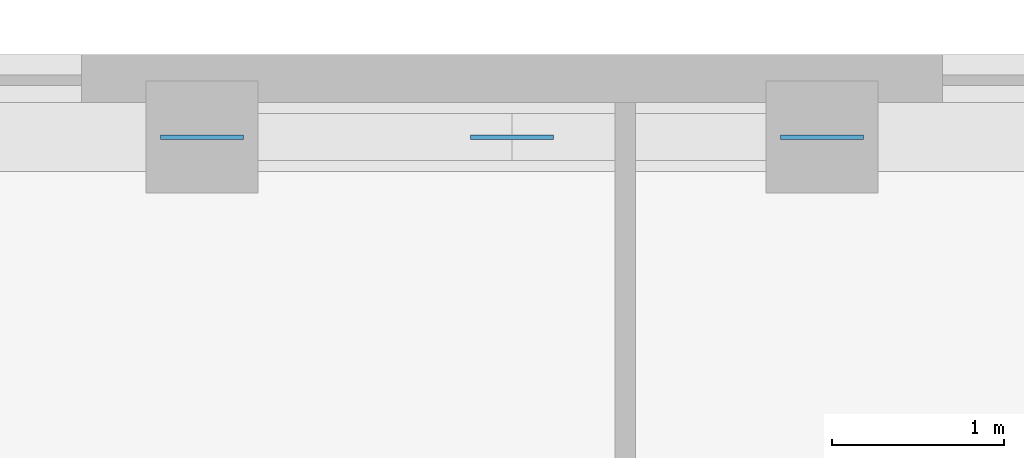
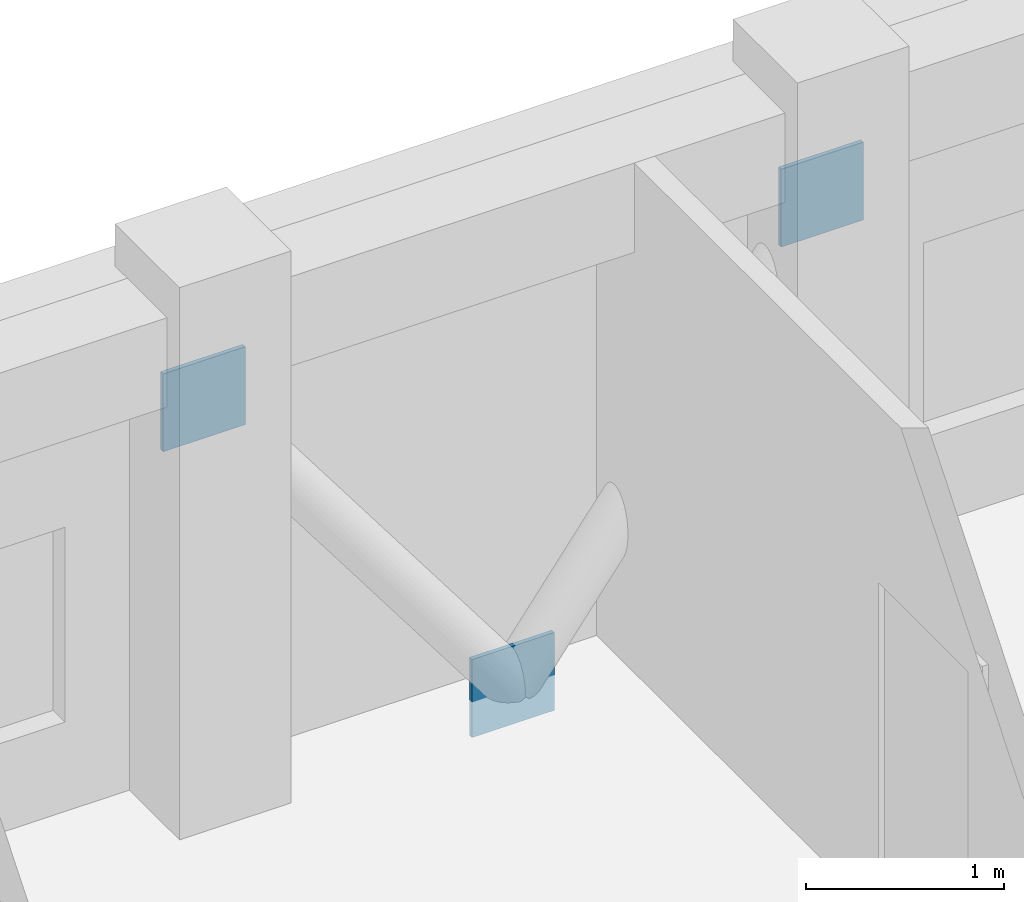
# One storey, part 9 of 11: 3 discrete accessories.
"""IFC4 building model written with IfcOpenShell, lengths in metres."""

from ifc_helpers import new_model, si_unit, derived_unit, direction, frame, origin, origin_2d, place, context, subcontext, project, spatial, rectangle, extrude, material, layer, layer_set, type_object, element, save


model = new_model("IFC4")

# Units and contexts
model_context = context("Model", 3, precision=1e-05, world=origin(), true_north=direction((0.0, 1.0)))
body_context = subcontext(model_context, "Body", "Model", "MODEL_VIEW")
ifc_project = project(units=[si_unit("LENGTHUNIT", "METRE"), si_unit("AREAUNIT", "SQUARE_METRE"), si_unit("VOLUMEUNIT", "CUBIC_METRE"), si_unit("PLANEANGLEUNIT", "RADIAN"), si_unit("MASSUNIT", "GRAM", prefix="KILO"), derived_unit("THERMALTRANSMITTANCEUNIT", [(si_unit("MASSUNIT", "GRAM", prefix="KILO"), 1), (si_unit("TIMEUNIT", "SECOND"), -3), (si_unit("THERMODYNAMICTEMPERATUREUNIT", "KELVIN"), -1)])], contexts=[model_context])

# Site, building, storey
site_placement = place(None, origin())
site = spatial("IfcSite", under=ifc_project, at=site_placement, CompositionType="ELEMENT")
building_placement = place(site_placement, origin())
building = spatial("IfcBuilding", under=site, at=building_placement, Name="Korrvale Station Residences", CompositionType="ELEMENT")
storey_placement = place(building_placement, frame((0.0, 0.0, 224.10009765625)))
storey = spatial("IfcBuildingStorey", under=building, at=storey_placement, Name="L65", CompositionType="ELEMENT", Elevation=224.10009765625)

# Discrete accessories
ifc_material = material(Name="Steel S355", Category="steel")
ifc_layer = layer(ifc_material, 0.02490234375, Name="Steel S355")
ifc_layer_set = layer_set([ifc_layer], Name="Steel S355")
discrete_accessory_type = type_object("IfcDiscreteAccessoryType", Name="ACC-GUSSET-25", PredefinedType="BRACKET", material=ifc_layer_set)
for number, where, z_axis, x_axis, name in (
    (1, (25.0, 39.719970703125, -0.219970703125), (0.0, 0.0, 1.0), (1.0, 0.0, 0.0), "L65 N Brace End Gusset Connection M"),
    (2, (23.199951171875, 39.719970703125, 2.169921875), (0.0, 0.0, 1.0), (1.0, 0.0, 0.0), "L65 N Brace End Gusset Connection A"),
    (3, (26.800048828125, 39.719970703125, 2.169921875), (0.0, 0.0, 1.0), (1.0, 0.0, 0.0), "L65 N Brace End Gusset Connection B"),
):
    element("IfcDiscreteAccessory", number, at=place(storey_placement, frame(where, z_axis=z_axis, x_axis=x_axis)), inside=storey, type_object=discrete_accessory_type, Name=name, PredefinedType="BRACKET", context=body_context, shape_type="SweptSolid", body=[
        extrude(rectangle(XDim=0.47998046875, YDim=0.02490234375, at=origin_2d()), origin(), (0.0, 0.0, 1.0), 0.47998046875),
    ])

save(model, "model.ifc")
